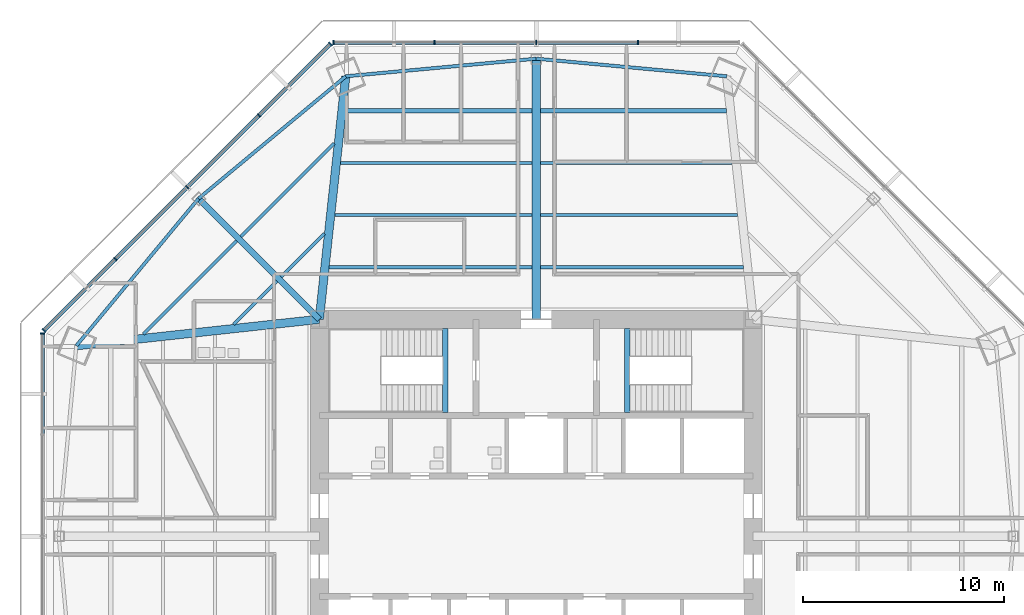
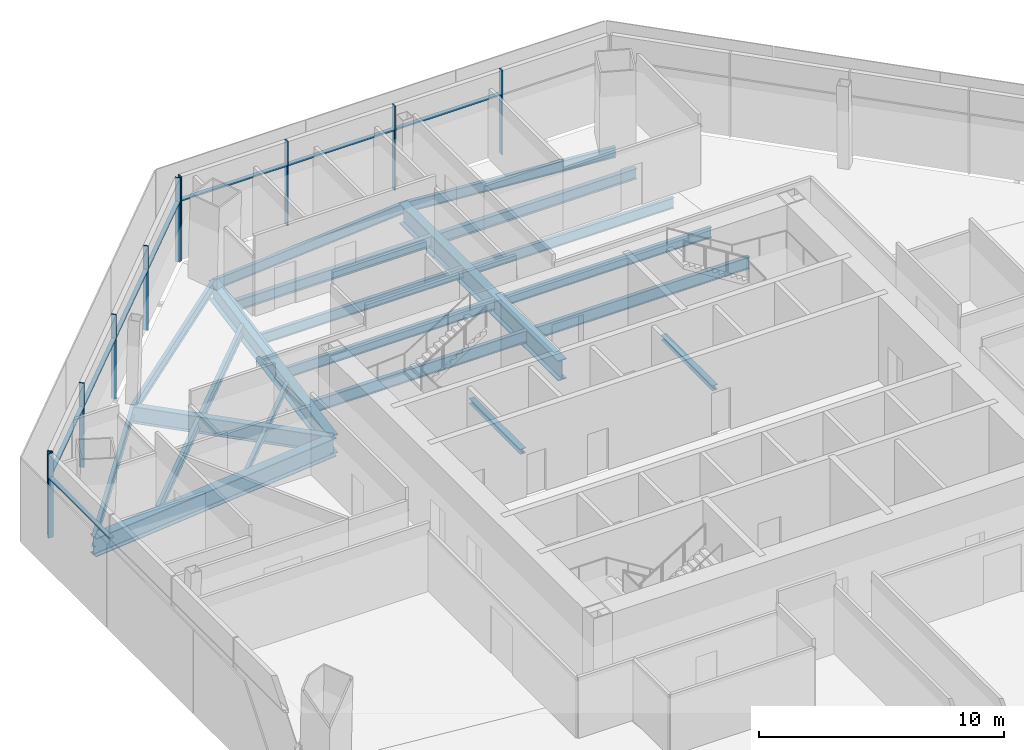
# One storey, part 5 of 14: 22 beams, 18 members, 3 elements without a shape of their own.
"""IFC4 building model written with IfcOpenShell, lengths in metres."""

from ifc_helpers import new_model, si_unit, direction, frame, origin, origin_2d, place, context, subcontext, project, spatial, rectangle, i_section, extrude, source, transform, mapped, material, material_profile, profile_set, type_object, type_shapes, element, aggregate, save


model = new_model("IFC4")

# Units and contexts
model_context = context("Model", 3, precision=1e-05, world=origin(), true_north=direction((0.0, 1.0)))
body_context = subcontext(model_context, "Body", "Model", "MODEL_VIEW")
ifc_project = project(units=[si_unit("LENGTHUNIT", "METRE"), si_unit("AREAUNIT", "SQUARE_METRE"), si_unit("VOLUMEUNIT", "CUBIC_METRE"), si_unit("PLANEANGLEUNIT", "RADIAN"), si_unit("MASSUNIT", "GRAM", prefix="KILO")], contexts=[model_context])

# Site, building, storey
site_placement = place(None, origin())
site = spatial("IfcSite", under=ifc_project, at=site_placement, CompositionType="ELEMENT")
building_placement = place(site_placement, origin())
building = spatial("IfcBuilding", under=site, at=building_placement, Name="Mashrafa Tower", CompositionType="ELEMENT")
storey_placement = place(building_placement, frame((0.0, 0.0, 121.800048828125)))
storey = spatial("IfcBuildingStorey", under=building, at=storey_placement, Name="L27", CompositionType="ELEMENT", Elevation=121.800048828125)

# Beams
ifc_material_1 = material(Name="Steel ASTM A992", Category="steel")
ifc_material_profile_1 = material_profile(ifc_material_1, i_section(OverallWidth=0.164794921875, OverallDepth=0.309814453125, WebThickness=0.005859375, FlangeThickness=0.009765625, FilletRadius=0.007568359375, at=origin_2d()), Name="W12X26")
ifc_profile_set_1 = profile_set([ifc_material_profile_1], Name="Steel ASTM A992")
beam_type_1 = type_object("IfcBeamType", Name="Beam W12X26", PredefinedType="BEAM", material=ifc_profile_set_1)
for number, where, z_axis, x_axis, name in (
    (1, (-15.059814453125, 10.547119140625, -0.320068359375), (0.707106781187, 0.707106781187, 0.0), (-0.707106781187, 0.707106781187, 0.0), "Floor beam L27 008"),
    (2, (-12.7001953125, 12.90673828125, -0.320068359375), (0.707106781187, 0.707106781187, 0.0), (-0.707106781187, 0.707106781187, 0.0), "Floor beam L27 014"),
):
    element("IfcBeam", number, at=place(storey_placement, frame(where, z_axis=z_axis, x_axis=x_axis)), inside=storey, type_object=beam_type_1, Name=name, PredefinedType="BEAM", context=body_context, shape_type="SweptSolid", body=[
        extrude(i_section(OverallWidth=0.164794921875, OverallDepth=0.309814453125, WebThickness=0.005859375, FlangeThickness=0.009765625, FilletRadius=0.007568359375, at=origin_2d()), origin(), (0.0, 0.0, 1.0), 3.044921875),
    ])
ifc_material_2 = material(Name="Steel ASTM A992", Category="steel")
ifc_material_profile_2 = material_profile(ifc_material_2, i_section(OverallWidth=0.1650390625, OverallDepth=0.52587890625, WebThickness=0.0087890625, FlangeThickness=0.011474609375, FilletRadius=0.0126953125, at=origin_2d()), Name="W21X44")
ifc_profile_set_2 = profile_set([ifc_material_profile_2], Name="Steel ASTM A992")
beam_type_2 = type_object("IfcBeamType", Name="Beam W21X44", PredefinedType="BEAM", material=ifc_profile_set_2)
for number, where, z_axis, x_axis, name in (
    (3, (-19.556396484375, 10.057861328125, -0.427978515625), (0.707106781187, 0.707106781187, 0.0), (-0.707106781187, 0.707106781187, 0.0), "Floor beam L27 003"),
    (4, (-14.703857421875, 14.910400390625, -0.427978515625), (0.707106781187, 0.707106781187, 0.0), (-0.707106781187, 0.707106781187, 0.0), "Floor beam L27 010"),
):
    element("IfcBeam", number, at=place(storey_placement, frame(where, z_axis=z_axis, x_axis=x_axis)), inside=storey, type_object=beam_type_2, Name=name, PredefinedType="BEAM", context=body_context, shape_type="SweptSolid", body=[
        extrude(i_section(OverallWidth=0.1650390625, OverallDepth=0.52587890625, WebThickness=0.0087890625, FlangeThickness=0.011474609375, FilletRadius=0.0126953125, at=origin_2d()), origin(), (0.0, 0.0, 1.0), 6.5703125),
    ])
beam_1_placement = place(storey_placement, frame((-10.0244140625, 15.989501953125, -0.427978515625), z_axis=(1.0, 0.0, 0.0), x_axis=(0.0, 1.0, 0.0)))
element("IfcBeam", 5, at=beam_1_placement, inside=storey, type_object=beam_type_2, Name="Floor beam L27 017", PredefinedType="BEAM", context=body_context, shape_type="SweptSolid", body=[
    extrude(i_section(OverallWidth=0.1650390625, OverallDepth=0.52587890625, WebThickness=0.0087890625, FlangeThickness=0.011474609375, FilletRadius=0.0126953125, at=origin_2d()), origin(), (0.0, 0.0, 1.0), 9.82373046875),
])
beam_2_placement = place(storey_placement, frame((-9.7421875, 18.584228515625, -0.427978515625), z_axis=(1.0, 0.0, 0.0), x_axis=(0.0, 1.0, 0.0)))
element("IfcBeam", 6, at=beam_2_placement, inside=storey, type_object=beam_type_2, Name="Floor beam L27 018", PredefinedType="BEAM", context=body_context, shape_type="SweptSolid", body=[
    extrude(i_section(OverallWidth=0.1650390625, OverallDepth=0.52587890625, WebThickness=0.0087890625, FlangeThickness=0.011474609375, FilletRadius=0.0126953125, at=origin_2d()), origin(), (0.0, 0.0, 1.0), 9.54150390625),
])
beam_3_placement = place(storey_placement, frame((0.20068359375, 15.989501953125, -0.427978515625), z_axis=(1.0, 0.0, 0.0), x_axis=(0.0, 1.0, 0.0)))
element("IfcBeam", 7, at=beam_3_placement, inside=storey, type_object=beam_type_2, Name="Floor beam L27 026", PredefinedType="BEAM", context=body_context, shape_type="SweptSolid", body=[
    extrude(i_section(OverallWidth=0.1650390625, OverallDepth=0.52587890625, WebThickness=0.0087890625, FlangeThickness=0.011474609375, FilletRadius=0.0126953125, at=origin_2d()), origin(), (0.0, 0.0, 1.0), 9.82373046875),
])
beam_4_placement = place(storey_placement, frame((0.20068359375, 18.584228515625, -0.427978515625), z_axis=(1.0, 0.0, 0.0), x_axis=(0.0, 1.0, 0.0)))
element("IfcBeam", 8, at=beam_4_placement, inside=storey, type_object=beam_type_2, Name="Floor beam L27 027", PredefinedType="BEAM", context=body_context, shape_type="SweptSolid", body=[
    extrude(i_section(OverallWidth=0.1650390625, OverallDepth=0.52587890625, WebThickness=0.0087890625, FlangeThickness=0.011474609375, FilletRadius=0.0126953125, at=origin_2d()), origin(), (0.0, 0.0, 1.0), 9.54150390625),
])
for number, where, z_axis, x_axis, name in (
    (9, (-16.810546875, 16.810546875, -0.427978515625), (-0.638895089209, -0.769293874267, 0.0), (0.769293874267, -0.638895089209, 0.0), "Spandrel beam L27 069"),
    (10, (-9.483642578125, 22.8955078125, -0.427978515625), (-0.769293874267, -0.638895089209, 0.0), (0.638895089209, -0.769293874267, 0.0), "Spandrel beam L27 071"),
    (11, (0.0, 23.773681640625, -0.427978515625), (-0.995740107499, -0.092204329172, 0.0), (0.092204329172, -0.995740107499, 0.0), "Spandrel beam L27 073"),
    (12, (9.483642578125, 22.8955078125, -0.427978515625), (-0.995740107499, 0.092204329172, 0.0), (-0.092204329172, -0.995740107499, 0.0), "Spandrel beam L27 075"),
):
    element("IfcBeam", number, at=place(storey_placement, frame(where, z_axis=z_axis, x_axis=x_axis)), inside=storey, type_object=beam_type_2, Name=name, PredefinedType="BEAM", context=body_context, shape_type="SweptSolid", body=[
        extrude(i_section(OverallWidth=0.1650390625, OverallDepth=0.52587890625, WebThickness=0.0087890625, FlangeThickness=0.011474609375, FilletRadius=0.0126953125, at=origin_2d()), origin(), (0.0, 0.0, 1.0), 9.524169921875),
    ])
ifc_material_3 = material(Name="Steel ASTM A992", Category="steel")
ifc_material_profile_3 = material_profile(ifc_material_3, i_section(OverallWidth=0.209228515625, OverallDepth=0.533447265625, WebThickness=0.01025390625, FlangeThickness=0.015625, FilletRadius=0.012939453125, at=origin_2d()), Name="W21X62")
ifc_profile_set_3 = profile_set([ifc_material_profile_3], Name="Steel ASTM A992")
beam_type_3 = type_object("IfcBeamType", Name="Beam W21X62", PredefinedType="BEAM", material=ifc_profile_set_3)
for number, where, z_axis, x_axis, name in (
    (13, (-9.459716796875, 21.178955078125, -0.431640625), (1.0, 0.0, 0.0), (0.0, 1.0, 0.0), "Floor beam L27 020"),
    (14, (0.20068359375, 21.178955078125, -0.431640625), (1.0, 0.0, 0.0), (0.0, 1.0, 0.0), "Floor beam L27 028"),
):
    element("IfcBeam", number, at=place(storey_placement, frame(where, z_axis=z_axis, x_axis=x_axis)), inside=storey, type_object=beam_type_3, Name=name, PredefinedType="BEAM", context=body_context, shape_type="SweptSolid", body=[
        extrude(i_section(OverallWidth=0.209228515625, OverallDepth=0.533447265625, WebThickness=0.01025390625, FlangeThickness=0.015625, FilletRadius=0.012939453125, at=origin_2d()), origin(), (0.0, 0.0, 1.0), 9.259033203125),
    ])
ifc_material_4 = material(Name="Steel ASTM A992", Category="steel")
ifc_material_profile_4 = material_profile(ifc_material_4, i_section(OverallWidth=0.177978515625, OverallDepth=0.599365234375, WebThickness=0.010009765625, FlangeThickness=0.012939453125, FilletRadius=0.012939453125, at=origin_2d()), Name="W24X55")
ifc_profile_set_4 = profile_set([ifc_material_profile_4], Name="Steel ASTM A992")
beam_type_4 = type_object("IfcBeamType", Name="Beam W24X55", PredefinedType="BEAM", material=ifc_profile_set_4)
for number, where, z_axis, x_axis, name in (
    (15, (-10.306884765625, 13.394775390625, -0.46484375), (1.0, 0.0, 0.0), (0.0, 1.0, 0.0), "Floor beam L27 015"),
    (16, (0.20068359375, 13.394775390625, -0.46484375), (1.0, 0.0, 0.0), (0.0, 1.0, 0.0), "Floor beam L27 025"),
):
    element("IfcBeam", number, at=place(storey_placement, frame(where, z_axis=z_axis, x_axis=x_axis)), inside=storey, type_object=beam_type_4, Name=name, PredefinedType="BEAM", context=body_context, shape_type="SweptSolid", body=[
        extrude(i_section(OverallWidth=0.177978515625, OverallDepth=0.599365234375, WebThickness=0.010009765625, FlangeThickness=0.012939453125, FilletRadius=0.012939453125, at=origin_2d()), origin(), (0.0, 0.0, 1.0), 10.106201171875),
    ])
ifc_material_5 = material(Name="Steel ASTM A992", Category="steel")
ifc_material_profile_5 = material_profile(ifc_material_5, i_section(OverallWidth=0.2919921875, OverallDepth=0.8408203125, WebThickness=0.0146484375, FlangeThickness=0.021728515625, FilletRadius=0.017333984375, at=origin_2d()), Name="W33X130")
ifc_profile_set_5 = profile_set([ifc_material_profile_5], Name="Steel ASTM A992")
beam_type_5 = type_object("IfcBeamType", Name="Beam W33X130", PredefinedType="BEAM", material=ifc_profile_set_5)
beam_5_placement = place(storey_placement, frame((-10.800048828125, 10.800048828125, -0.58544921875), z_axis=(-0.707106781187, 0.707106781187, 0.0), x_axis=(-0.707106781187, -0.707106781187, 0.0)))
element("IfcBeam", 17, at=beam_5_placement, inside=storey, type_object=beam_type_5, Name="Radial girder L27 054", PredefinedType="BEAM", context=body_context, shape_type="SweptSolid", body=[
    extrude(i_section(OverallWidth=0.2919921875, OverallDepth=0.8408203125, WebThickness=0.0146484375, FlangeThickness=0.021728515625, FilletRadius=0.017333984375, at=origin_2d()), origin(), (0.0, 0.0, 1.0), 8.500244140625),
])
ifc_material_6 = material(Name="Steel ASTM A992", Category="steel")
ifc_material_profile_6 = material_profile(ifc_material_6, i_section(OverallWidth=0.419189453125, OverallDepth=0.927001953125, WebThickness=0.019287109375, FlangeThickness=0.031982421875, FilletRadius=0.020263671875, at=origin_2d()), Name="W36X231")
ifc_profile_set_6 = profile_set([ifc_material_profile_6], Name="Steel ASTM A992")
beam_type_6 = type_object("IfcBeamType", Name="Beam W36X231", PredefinedType="BEAM", material=ifc_profile_set_6)
for number, where, z_axis, x_axis, name in (
    (18, (-10.800048828125, 10.800048828125, -0.628662109375), (-0.994129598654, -0.108195845951, 0.0), (0.108195845951, -0.994129598654, 0.0), "Radial girder L27 053"),
    (19, (-10.800048828125, 10.800048828125, -0.628662109375), (0.108195845951, 0.994129598654, 0.0), (-0.994129598654, 0.108195845951, 0.0), "Radial girder L27 055"),
):
    element("IfcBeam", number, at=place(storey_placement, frame(where, z_axis=z_axis, x_axis=x_axis)), inside=storey, type_object=beam_type_6, Name=name, PredefinedType="BEAM", context=body_context, shape_type="SweptSolid", body=[
        extrude(i_section(OverallWidth=0.419189453125, OverallDepth=0.927001953125, WebThickness=0.019287109375, FlangeThickness=0.031982421875, FilletRadius=0.020263671875, at=origin_2d()), origin(), (0.0, 0.0, 1.0), 12.1669921875),
    ])
ifc_material_7 = material(Name="Steel ASTM A992", Category="steel")
ifc_material_profile_7 = material_profile(ifc_material_7, i_section(OverallWidth=0.4013671875, OverallDepth=1.010986328125, WebThickness=0.023681640625, FlangeThickness=0.0419921875, FilletRadius=0.02001953125, at=origin_2d()), Name="W40X297")
ifc_profile_set_7 = profile_set([ifc_material_profile_7], Name="Steel ASTM A992")
beam_type_7 = type_object("IfcBeamType", Name="Beam W40X297", PredefinedType="BEAM", material=ifc_profile_set_7)
beam_6_placement = place(storey_placement, frame((0.0, 10.800048828125, -0.67041015625), z_axis=(0.0, 1.0, 0.0), x_axis=(-1.0, 0.0, 0.0)))
element("IfcBeam", 20, at=beam_6_placement, inside=storey, type_object=beam_type_7, Name="Radial girder L27 057", PredefinedType="BEAM", context=body_context, shape_type="SweptSolid", body=[
    extrude(i_section(OverallWidth=0.4013671875, OverallDepth=1.010986328125, WebThickness=0.023681640625, FlangeThickness=0.0419921875, FilletRadius=0.02001953125, at=origin_2d()), origin(), (0.0, 0.0, 1.0), 12.9736328125),
])
ifc_material_8 = material(Name="Steel ASTM A992", Category="steel")
ifc_material_profile_8 = material_profile(ifc_material_8, i_section(OverallWidth=0.25390625, OverallDepth=0.25390625, WebThickness=0.008544921875, FlangeThickness=0.01416015625, FilletRadius=0.010009765625, at=origin_2d()), Name="W10X49")
ifc_profile_set_8 = profile_set([ifc_material_profile_8], Name="Steel ASTM A992")
beam_type_8 = type_object("IfcBeamType", Name="Hoistway beam W10X49", PredefinedType="BEAM", material=ifc_profile_set_8)
for number, where, z_axis, x_axis, name in (
    (21, (-4.530029296875, 6.14990234375, -0.3271484375), (0.0, 1.0, 0.0), (-1.0, 0.0, 0.0), "Stair S1 landing beam L27"),
    (22, (4.530029296875, 6.14990234375, -0.3271484375), (0.0, 1.0, 0.0), (-1.0, 0.0, 0.0), "Stair S2 landing beam L27"),
):
    element("IfcBeam", number, at=place(storey_placement, frame(where, z_axis=z_axis, x_axis=x_axis)), inside=storey, type_object=beam_type_8, Name=name, PredefinedType="BEAM", context=body_context, shape_type="SweptSolid", body=[
        extrude(i_section(OverallWidth=0.25390625, OverallDepth=0.25390625, WebThickness=0.008544921875, FlangeThickness=0.01416015625, FilletRadius=0.010009765625, at=origin_2d()), origin(), (0.0, 0.0, 1.0), 4.2001953125),
    ])

# Curtain wall, members
ifc_material_9 = material(Name="Unitised aluminium curtain wall", Category="aluminium")
curtain_wall_type = type_object("IfcCurtainWallType", Name="Office curtain wall, zone 2 CW-B 225 deep", PredefinedType="NOTDEFINED", material=ifc_material_9)
curtain_wall_1_placement = place(storey_placement, origin())
curtain_wall_1 = element("IfcCurtainWall", 23, at=curtain_wall_1_placement, inside=storey, type_object=curtain_wall_type, Name="Office curtain wall, zone 2 L27 north", PredefinedType="NOTDEFINED")
ifc_material_10 = material(Name="Extruded aluminium mullion", Category="aluminium")
ifc_material_profile_9 = material_profile(ifc_material_10, rectangle(XDim=0.22509765625, YDim=0.06494140625, at=origin_2d()), Name="Mullion 65x225")
ifc_profile_set_9 = profile_set([ifc_material_profile_9], Name="Extruded aluminium mullion")
member_type_1 = type_object("IfcMemberType", Name="Mullion CW-B 65 x 225", PredefinedType="MULLION", material=ifc_profile_set_9)
shared_shape_1 = source(origin(), body_context, "Body", "SweptSolid", [
    extrude(rectangle(XDim=0.22509765625, YDim=0.06494140625, at=origin_2d()), origin(), (0.0, 0.0, 1.0), 4.199951171875),
])
type_shapes(member_type_1, [shared_shape_1])
member_1_placement = place(storey_placement, frame((5.06005859375, 24.569091796875, 0.0), z_axis=(0.0, 0.0, 1.0), x_axis=(0.0, -1.0, 0.0)))
member_1 = element("IfcMember", 24, at=member_1_placement, type_object=member_type_1, Name="CW-B mullion 2", PredefinedType="MULLION", context=body_context, shape_type="MappedRepresentation", body=[
    mapped(shared_shape_1, transform((0.0, 0.0, 0.0))),
])
member_2_placement = place(storey_placement, frame((0.0, 24.569091796875, 0.0), z_axis=(0.0, 0.0, 1.0), x_axis=(0.0, -1.0, 0.0)))
member_2 = element("IfcMember", 25, at=member_2_placement, type_object=member_type_1, Name="CW-B mullion 3", PredefinedType="MULLION", context=body_context, shape_type="MappedRepresentation", body=[
    mapped(shared_shape_1, transform((0.0, 0.0, 0.0))),
])
member_3_placement = place(storey_placement, frame((-5.06005859375, 24.569091796875, 0.0), z_axis=(0.0, 0.0, 1.0), x_axis=(0.0, -1.0, 0.0)))
member_3 = element("IfcMember", 26, at=member_3_placement, type_object=member_type_1, Name="CW-B mullion 4", PredefinedType="MULLION", context=body_context, shape_type="MappedRepresentation", body=[
    mapped(shared_shape_1, transform((0.0, 0.0, 0.0))),
])
member_4_placement = place(storey_placement, frame((-10.087890625, 24.569091796875, 0.0), z_axis=(0.0, 0.0, 1.0), x_axis=(0.0, -1.0, 0.0)))
member_4 = element("IfcMember", 27, at=member_4_placement, type_object=member_type_1, Name="CW-B mullion 5", PredefinedType="MULLION", context=body_context, shape_type="MappedRepresentation", body=[
    mapped(shared_shape_1, transform((0.0, 0.0, 0.0))),
])

curtain_wall_2_placement = place(storey_placement, origin())
curtain_wall_2 = element("IfcCurtainWall", 28, at=curtain_wall_2_placement, inside=storey, type_object=curtain_wall_type, Name="Office curtain wall, zone 2 L27 north-west", PredefinedType="NOTDEFINED")
member_5_placement = place(storey_placement, frame((-10.239990234375, 24.506103515625, 0.0), z_axis=(0.0, 0.0, 1.0), x_axis=(0.707106781187, -0.707106781187, 0.0)))
member_5 = element("IfcMember", 29, at=member_5_placement, type_object=member_type_1, Name="CW-B mullion 1", PredefinedType="MULLION", context=body_context, shape_type="MappedRepresentation", body=[
    mapped(shared_shape_1, transform((0.0, 0.0, 0.0))),
])
member_6_placement = place(storey_placement, frame((-13.794921875, 20.951171875, 0.0), z_axis=(0.0, 0.0, 1.0), x_axis=(0.707106781187, -0.707106781187, 0.0)))
member_6 = element("IfcMember", 30, at=member_6_placement, type_object=member_type_1, Name="CW-B mullion 2", PredefinedType="MULLION", context=body_context, shape_type="MappedRepresentation", body=[
    mapped(shared_shape_1, transform((0.0, 0.0, 0.0))),
])
member_7_placement = place(storey_placement, frame((-17.373046875, 17.373046875, 0.0), z_axis=(0.0, 0.0, 1.0), x_axis=(0.707106781187, -0.707106781187, 0.0)))
member_7 = element("IfcMember", 31, at=member_7_placement, type_object=member_type_1, Name="CW-B mullion 3", PredefinedType="MULLION", context=body_context, shape_type="MappedRepresentation", body=[
    mapped(shared_shape_1, transform((0.0, 0.0, 0.0))),
])
member_8_placement = place(storey_placement, frame((-20.951171875, 13.794921875, 0.0), z_axis=(0.0, 0.0, 1.0), x_axis=(0.707106781187, -0.707106781187, 0.0)))
member_8 = element("IfcMember", 32, at=member_8_placement, type_object=member_type_1, Name="CW-B mullion 4", PredefinedType="MULLION", context=body_context, shape_type="MappedRepresentation", body=[
    mapped(shared_shape_1, transform((0.0, 0.0, 0.0))),
])
member_9_placement = place(storey_placement, frame((-24.506103515625, 10.239990234375, 0.0), z_axis=(0.0, 0.0, 1.0), x_axis=(0.707106781187, -0.707106781187, 0.0)))
member_9 = element("IfcMember", 33, at=member_9_placement, type_object=member_type_1, Name="CW-B mullion 5", PredefinedType="MULLION", context=body_context, shape_type="MappedRepresentation", body=[
    mapped(shared_shape_1, transform((0.0, 0.0, 0.0))),
])

# Curtain wall, member
curtain_wall_3_placement = place(storey_placement, origin())
curtain_wall_3 = element("IfcCurtainWall", 34, at=curtain_wall_3_placement, inside=storey, type_object=curtain_wall_type, Name="Office curtain wall, zone 2 L27 west", PredefinedType="NOTDEFINED")
member_10_placement = place(storey_placement, frame((-24.569091796875, 10.087890625, 0.0), z_axis=(0.0, 0.0, 1.0), x_axis=(1.0, 0.0, 0.0)))
member_10 = element("IfcMember", 35, at=member_10_placement, type_object=member_type_1, Name="CW-B mullion 1", PredefinedType="MULLION", context=body_context, shape_type="MappedRepresentation", body=[
    mapped(shared_shape_1, transform((0.0, 0.0, 0.0))),
])

# Member
ifc_material_11 = material(Name="Extruded aluminium transom", Category="aluminium")
ifc_material_profile_10 = material_profile(ifc_material_11, rectangle(XDim=0.179931640625, YDim=0.080078125, at=origin_2d()), Name="Transom 80x180")
ifc_profile_set_10 = profile_set([ifc_material_profile_10], Name="Extruded aluminium transom")
member_type_2 = type_object("IfcMemberType", Name="Transom CW-B 80 x 180", PredefinedType="MULLION", material=ifc_profile_set_10)
shared_shape_2 = source(origin(), body_context, "Body", "SweptSolid", [
    extrude(rectangle(XDim=0.179931640625, YDim=0.080078125, at=origin_2d()), origin(), (0.0, 0.0, 1.0), 4.962646484375),
])
member_11_placement = place(storey_placement, frame((-5.092529296875, 24.569091796875, 3.0), z_axis=(-1.0, 0.0, 0.0), x_axis=(0.0, -1.0, 0.0)))
member_11 = element("IfcMember", 36, at=member_11_placement, type_object=member_type_2, Name="CW-B transom 4", PredefinedType="MULLION", context=body_context, shape_type="MappedRepresentation", body=[
    mapped(shared_shape_2, transform((0.0, 0.0, 0.0))),
])

member_12_placement = place(storey_placement, frame((-24.569091796875, 10.05517578125, 3.0), z_axis=(0.0, -1.0, 0.0), x_axis=(1.0, 0.0, 0.0)))
member_12 = element("IfcMember", 37, at=member_12_placement, type_object=member_type_2, Name="CW-B transom 1", PredefinedType="MULLION", context=body_context, shape_type="MappedRepresentation", body=[
    mapped(shared_shape_2, transform((0.0, 0.0, 0.0))),
])

aggregate(curtain_wall_3, [member_10, member_12])

shared_shape_3 = source(origin(), body_context, "Body", "SweptSolid", [
    extrude(rectangle(XDim=0.179931640625, YDim=0.080078125, at=origin_2d()), origin(), (0.0, 0.0, 1.0), 4.9951171875),
])
member_13_placement = place(storey_placement, frame((5.027587890625, 24.569091796875, 3.0), z_axis=(-1.0, 0.0, 0.0), x_axis=(0.0, -1.0, 0.0)))
member_13 = element("IfcMember", 38, at=member_13_placement, type_object=member_type_2, Name="CW-B transom 2", PredefinedType="MULLION", context=body_context, shape_type="MappedRepresentation", body=[
    mapped(shared_shape_3, transform((0.0, 0.0, 0.0))),
])

member_14_placement = place(storey_placement, frame((-0.032470703125, 24.569091796875, 3.0), z_axis=(-1.0, 0.0, 0.0), x_axis=(0.0, -1.0, 0.0)))
member_14 = element("IfcMember", 39, at=member_14_placement, type_object=member_type_2, Name="CW-B transom 3", PredefinedType="MULLION", context=body_context, shape_type="MappedRepresentation", body=[
    mapped(shared_shape_3, transform((0.0, 0.0, 0.0))),
])

aggregate(curtain_wall_1, [member_1, member_2, member_3, member_4, member_13, member_14, member_11])

shared_shape_4 = source(origin(), body_context, "Body", "SweptSolid", [
    extrude(rectangle(XDim=0.179931640625, YDim=0.080078125, at=origin_2d()), origin(), (0.0, 0.0, 1.0), 4.96240234375),
])
member_15_placement = place(storey_placement, frame((-10.262939453125, 24.483154296875, 3.0), z_axis=(-0.707106781187, -0.707106781187, 0.0), x_axis=(0.707106781187, -0.707106781187, 0.0)))
member_15 = element("IfcMember", 40, at=member_15_placement, type_object=member_type_2, Name="CW-B transom 1", PredefinedType="MULLION", context=body_context, shape_type="MappedRepresentation", body=[
    mapped(shared_shape_4, transform((0.0, 0.0, 0.0))),
])

member_16_placement = place(storey_placement, frame((-20.97412109375, 13.77197265625, 3.0), z_axis=(-0.707106781187, -0.707106781187, 0.0), x_axis=(0.707106781187, -0.707106781187, 0.0)))
member_16 = element("IfcMember", 41, at=member_16_placement, type_object=member_type_2, Name="CW-B transom 4", PredefinedType="MULLION", context=body_context, shape_type="MappedRepresentation", body=[
    mapped(shared_shape_4, transform((0.0, 0.0, 0.0))),
])

shared_shape_5 = source(origin(), body_context, "Body", "SweptSolid", [
    extrude(rectangle(XDim=0.179931640625, YDim=0.080078125, at=origin_2d()), origin(), (0.0, 0.0, 1.0), 4.995361328125),
])
type_shapes(member_type_2, [shared_shape_2, shared_shape_3, shared_shape_4, shared_shape_5])
member_17_placement = place(storey_placement, frame((-13.81787109375, 20.92822265625, 3.0), z_axis=(-0.707106781187, -0.707106781187, 0.0), x_axis=(0.707106781187, -0.707106781187, 0.0)))
member_17 = element("IfcMember", 42, at=member_17_placement, type_object=member_type_2, Name="CW-B transom 2", PredefinedType="MULLION", context=body_context, shape_type="MappedRepresentation", body=[
    mapped(shared_shape_5, transform((0.0, 0.0, 0.0))),
])

member_18_placement = place(storey_placement, frame((-17.39599609375, 17.35009765625, 3.0), z_axis=(-0.707106781187, -0.707106781187, 0.0), x_axis=(0.707106781187, -0.707106781187, 0.0)))
member_18 = element("IfcMember", 43, at=member_18_placement, type_object=member_type_2, Name="CW-B transom 3", PredefinedType="MULLION", context=body_context, shape_type="MappedRepresentation", body=[
    mapped(shared_shape_5, transform((0.0, 0.0, 0.0))),
])

aggregate(curtain_wall_2, [member_5, member_6, member_7, member_8, member_9, member_15, member_17, member_18, member_16])

save(model, "model.ifc")
